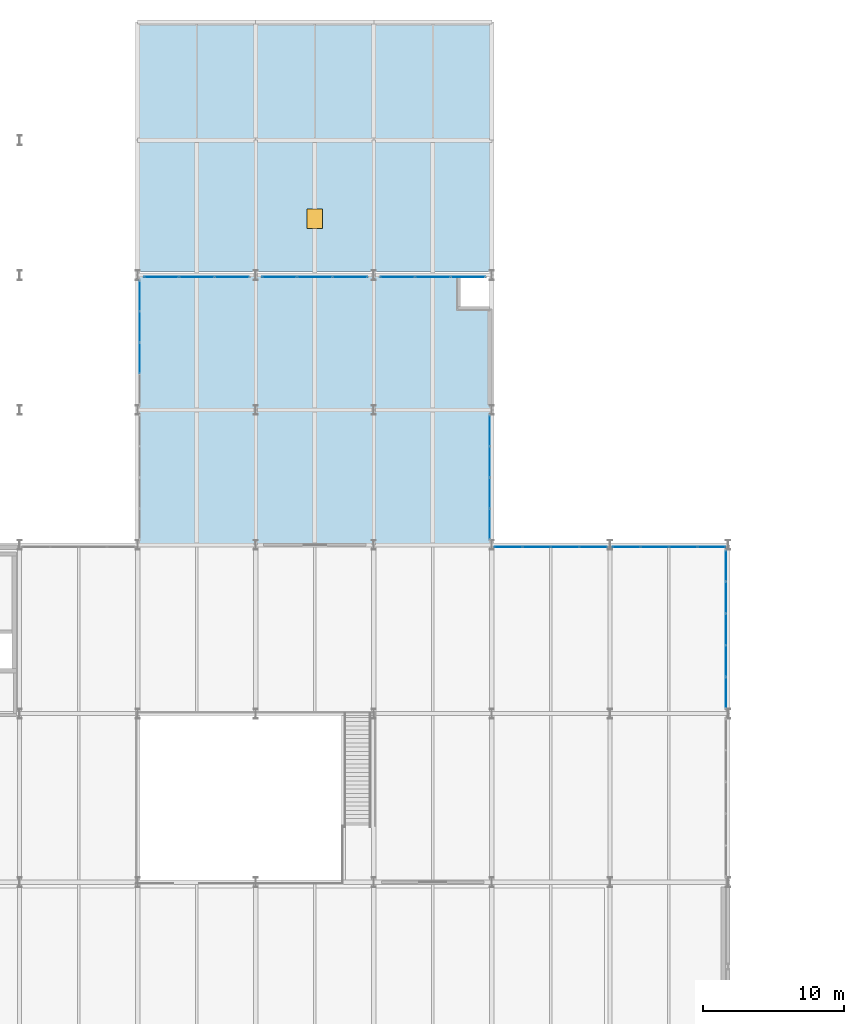
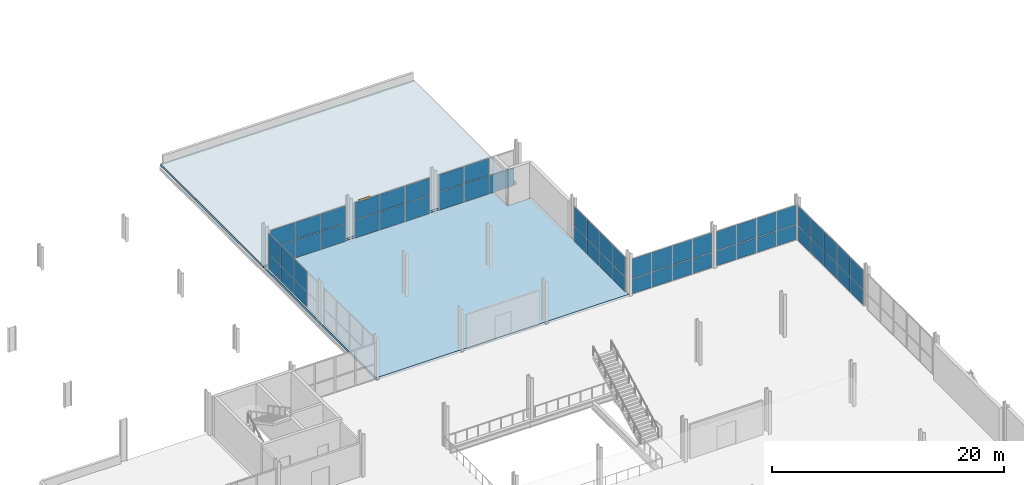
# One storey, part 90 of 113: 57 plates, 2 slabs, 1 door, 1 opening, 8 elements without a shape of their own.
"""IFC4 building model written with IfcOpenShell, lengths in metres."""

from ifc_helpers import new_model, si_unit, direction, frame, origin, origin_2d, place, context, subcontext, project, spatial, polyline, rectangle, outline, extrude, material, layer, layer_set, type_object, element, fill, aggregate, save


model = new_model("IFC4")

# Units and contexts
model_context = context("Model", 3, precision=1e-05, world=origin(), true_north=direction((0.0, 1.0)))
body_context = subcontext(model_context, "Body", "Model", "MODEL_VIEW")
ifc_project = project(units=[si_unit("LENGTHUNIT", "METRE"), si_unit("AREAUNIT", "SQUARE_METRE"), si_unit("VOLUMEUNIT", "CUBIC_METRE"), si_unit("PLANEANGLEUNIT", "RADIAN"), si_unit("MASSUNIT", "GRAM", prefix="KILO")], contexts=[model_context])

# Site, building, storey
site_placement = place(None, origin())
site = spatial("IfcSite", under=ifc_project, at=site_placement, CompositionType="ELEMENT")
building_placement = place(site_placement, origin())
building = spatial("IfcBuilding", under=site, at=building_placement, Name="Veltarok Museum of Natural Sciences", CompositionType="ELEMENT")
storey_placement = place(building_placement, frame((0.0, 0.0, 8.39990234375)))
storey = spatial("IfcBuildingStorey", under=building, at=storey_placement, Name="L01", CompositionType="ELEMENT", Elevation=8.39990234375)

# Slab, opening, door
ifc_material_1 = material(Name="Concrete C35/45", Category="concrete")
ifc_layer_1 = layer(ifc_material_1, 0.239990234375)
ifc_layer_set_1 = layer_set([ifc_layer_1], Name="Concrete C35/45")
slab_type_1 = type_object("IfcSlabType", Name="Insulated Flat Wing Roof Slab 240", PredefinedType="ROOF", material=ifc_layer_set_1)
slab_1_placement = place(storey_placement, frame((0.0, 0.0, -0.239990234375)))
slab_1 = element("IfcSlab", 1, at=slab_1_placement, inside=storey, type_object=slab_type_1, Name="Flat Wing Roof Slab RF-V2N0", PredefinedType="ROOF", context=body_context, shape_type="SweptSolid", body=[
    extrude(outline(polyline([(56.800048828125, 91.449951171875), (56.800048828125, 109.199951171875), (82.0, 109.199951171875), (82.0, 91.449951171875), (56.800048828125, 91.449951171875)])), origin(), (0.0, 0.0, 1.0), 0.239990234375),
])
opening_placement = place(slab_1_placement, frame((69.39990234375, 95.199951171875, -0.010009765625)))
opening = element("IfcOpeningElement", 2, at=opening_placement, cuts=slab_1, Name="Opening HT-01", PredefinedType="OPENING", context=body_context, shape_type="SweptSolid", body=[
    extrude(rectangle(XDim=1.10009765625, YDim=1.39990234375, at=origin_2d()), origin(), (0.0, 0.0, 1.0), 0.320068359375),
])
ifc_material_2 = material(Name="Insulated aluminium curb hatch", Category="aluminium")
door_type = type_object("IfcDoorType", Name="Insulated Roof Maintenance Access Hatch 1100x1400", OperationType="SINGLE_SWING_LEFT", PredefinedType="TRAPDOOR", material=ifc_material_2)
door_placement = place(slab_1_placement, frame((69.39990234375, 95.199951171875, 0.239990234375)))
door = element("IfcDoor", 3, at=door_placement, inside=storey, type_object=door_type, Name="Roof Maintenance Access Hatch HT-01", OperationType="SINGLE_SWING_LEFT", OverallHeight=1.39990234375, OverallWidth=1.10009765625, PredefinedType="TRAPDOOR", context=body_context, shape_type="SweptSolid", body=[
    extrude(rectangle(XDim=1.10009765625, YDim=1.39990234375, at=origin_2d()), origin(), (0.0, 0.0, 1.0), 0.06005859375),
])
fill(opening, door)

# Slab
ifc_layer_2 = layer(ifc_material_1, 0.25)
ifc_layer_set_2 = layer_set([ifc_layer_2], Name="Concrete C35/45")
slab_type_2 = type_object("IfcSlabType", Name="Suspended Museum Floor Slab 250", PredefinedType="FLOOR", material=ifc_layer_set_2)
slab_2_placement = place(storey_placement, frame((0.0, 0.0, -0.25)))
element("IfcSlab", 4, at=slab_2_placement, inside=storey, type_object=slab_type_2, Name="Floor Slab L01 V2N", PredefinedType="FLOOR", context=body_context, shape_type="SweptSolid", body=[
    extrude(outline(polyline([(56.800048828125, 72.0), (56.800048828125, 91.199951171875), (79.60009765625, 91.199951171875), (79.60009765625, 88.800048828125), (82.0, 88.800048828125), (82.0, 72.0), (56.800048828125, 72.0)])), origin(), (0.0, 0.0, 1.0), 0.25),
])

# Curtain wall, plates
ifc_material_3 = material(Name="Low-iron triple insulated glass", Category="glass")
curtain_wall_type_1 = type_object("IfcCurtainWallType", Name="Curtain Wall System CW-V2NP-L01-7-756x385 (North Pavilion L01 7-8 756x385cm)", PredefinedType="NOTDEFINED", material=ifc_material_3)
curtain_wall_1_placement = place(storey_placement, origin())
curtain_wall_1 = element("IfcCurtainWall", 5, at=curtain_wall_1_placement, inside=storey, type_object=curtain_wall_type_1, Name="Curtain Wall CW-V2NP-L01-7-756x385 CW-0069", PredefinedType="NOTDEFINED")
ifc_layer_3 = layer(ifc_material_3, 0.028076171875)
ifc_layer_set_3 = layer_set([ifc_layer_3], Name="Low-iron triple insulated glass")
plate_type = type_object("IfcPlateType", Name="Triple Low-Iron Glazed Vision Panel 28", PredefinedType="CURTAIN_PANEL", material=ifc_layer_set_3)
plate_1_placement = place(storey_placement, frame((63.5048828125, 91.050048828125, 0.06005859375), z_axis=(0.0, 0.0, 1.0), x_axis=(-1.0, 0.0, 0.0)))
plate_1 = element("IfcPlate", 6, at=plate_1_placement, type_object=plate_type, Name="CW-V2NP-L01-7-756x385 panel 1.1", PredefinedType="CURTAIN_PANEL", context=body_context, shape_type="SweptSolid", body=[
    extrude(rectangle(XDim=2.429931640625, YDim=0.028076171875, at=origin_2d()), origin(), (0.0, 0.0, 1.0), 1.909912109375),
])
plate_2_placement = place(storey_placement, frame((63.5048828125, 91.050048828125, 2.0302734375), z_axis=(0.0, 0.0, 1.0), x_axis=(-1.0, 0.0, 0.0)))
plate_2 = element("IfcPlate", 7, at=plate_2_placement, type_object=plate_type, Name="CW-V2NP-L01-7-756x385 panel 1.2", PredefinedType="CURTAIN_PANEL", context=body_context, shape_type="SweptSolid", body=[
    extrude(rectangle(XDim=2.429931640625, YDim=0.028076171875, at=origin_2d()), origin(), (0.0, 0.0, 1.0), 1.760009765625),
])
plate_3_placement = place(storey_placement, frame((61.0, 91.050048828125, 0.06005859375), z_axis=(0.0, 0.0, 1.0), x_axis=(-1.0, 0.0, 0.0)))
plate_3 = element("IfcPlate", 8, at=plate_3_placement, type_object=plate_type, Name="CW-V2NP-L01-7-756x385 panel 2.1", PredefinedType="CURTAIN_PANEL", context=body_context, shape_type="SweptSolid", body=[
    extrude(rectangle(XDim=2.4599609375, YDim=0.028076171875, at=origin_2d()), origin(), (0.0, 0.0, 1.0), 1.909912109375),
])
plate_4_placement = place(storey_placement, frame((61.0, 91.050048828125, 2.0302734375), z_axis=(0.0, 0.0, 1.0), x_axis=(-1.0, 0.0, 0.0)))
plate_4 = element("IfcPlate", 9, at=plate_4_placement, type_object=plate_type, Name="CW-V2NP-L01-7-756x385 panel 2.2", PredefinedType="CURTAIN_PANEL", context=body_context, shape_type="SweptSolid", body=[
    extrude(rectangle(XDim=2.4599609375, YDim=0.028076171875, at=origin_2d()), origin(), (0.0, 0.0, 1.0), 1.760009765625),
])
plate_5_placement = place(storey_placement, frame((58.4951171875, 91.050048828125, 0.06005859375), z_axis=(0.0, 0.0, 1.0), x_axis=(-1.0, 0.0, 0.0)))
plate_5 = element("IfcPlate", 10, at=plate_5_placement, type_object=plate_type, Name="CW-V2NP-L01-7-756x385 panel 3.1", PredefinedType="CURTAIN_PANEL", context=body_context, shape_type="SweptSolid", body=[
    extrude(rectangle(XDim=2.429931640625, YDim=0.028076171875, at=origin_2d()), origin(), (0.0, 0.0, 1.0), 1.909912109375),
])
plate_6_placement = place(storey_placement, frame((58.4951171875, 91.050048828125, 2.0302734375), z_axis=(0.0, 0.0, 1.0), x_axis=(-1.0, 0.0, 0.0)))
plate_6 = element("IfcPlate", 11, at=plate_6_placement, type_object=plate_type, Name="CW-V2NP-L01-7-756x385 panel 3.2", PredefinedType="CURTAIN_PANEL", context=body_context, shape_type="SweptSolid", body=[
    extrude(rectangle(XDim=2.429931640625, YDim=0.028076171875, at=origin_2d()), origin(), (0.0, 0.0, 1.0), 1.760009765625),
])
aggregate(curtain_wall_1, [plate_1, plate_2, plate_3, plate_4, plate_5, plate_6])

curtain_wall_type_2 = type_object("IfcCurtainWallType", Name="Curtain Wall System CW-V2NP-L01-8-756x385 (North Pavilion L01 8-9 756x385cm)", PredefinedType="NOTDEFINED", material=ifc_material_3)
curtain_wall_2_placement = place(storey_placement, origin())
curtain_wall_2 = element("IfcCurtainWall", 12, at=curtain_wall_2_placement, inside=storey, type_object=curtain_wall_type_2, Name="Curtain Wall CW-V2NP-L01-8-756x385 CW-0070", PredefinedType="NOTDEFINED")
plate_7_placement = place(storey_placement, frame((71.905029296875, 91.050048828125, 0.06005859375), z_axis=(0.0, 0.0, 1.0), x_axis=(-1.0, 0.0, 0.0)))
plate_7 = element("IfcPlate", 13, at=plate_7_placement, type_object=plate_type, Name="CW-V2NP-L01-8-756x385 panel 1.1", PredefinedType="CURTAIN_PANEL", context=body_context, shape_type="SweptSolid", body=[
    extrude(rectangle(XDim=2.429931640625, YDim=0.028076171875, at=origin_2d()), origin(), (0.0, 0.0, 1.0), 1.909912109375),
])
plate_8_placement = place(storey_placement, frame((71.905029296875, 91.050048828125, 2.0302734375), z_axis=(0.0, 0.0, 1.0), x_axis=(-1.0, 0.0, 0.0)))
plate_8 = element("IfcPlate", 14, at=plate_8_placement, type_object=plate_type, Name="CW-V2NP-L01-8-756x385 panel 1.2", PredefinedType="CURTAIN_PANEL", context=body_context, shape_type="SweptSolid", body=[
    extrude(rectangle(XDim=2.429931640625, YDim=0.028076171875, at=origin_2d()), origin(), (0.0, 0.0, 1.0), 1.760009765625),
])
plate_9_placement = place(storey_placement, frame((69.39990234375, 91.050048828125, 0.06005859375), z_axis=(0.0, 0.0, 1.0), x_axis=(-1.0, 0.0, 0.0)))
plate_9 = element("IfcPlate", 15, at=plate_9_placement, type_object=plate_type, Name="CW-V2NP-L01-8-756x385 panel 2.1", PredefinedType="CURTAIN_PANEL", context=body_context, shape_type="SweptSolid", body=[
    extrude(rectangle(XDim=2.4599609375, YDim=0.028076171875, at=origin_2d()), origin(), (0.0, 0.0, 1.0), 1.909912109375),
])
plate_10_placement = place(storey_placement, frame((69.39990234375, 91.050048828125, 2.0302734375), z_axis=(0.0, 0.0, 1.0), x_axis=(-1.0, 0.0, 0.0)))
plate_10 = element("IfcPlate", 16, at=plate_10_placement, type_object=plate_type, Name="CW-V2NP-L01-8-756x385 panel 2.2", PredefinedType="CURTAIN_PANEL", context=body_context, shape_type="SweptSolid", body=[
    extrude(rectangle(XDim=2.4599609375, YDim=0.028076171875, at=origin_2d()), origin(), (0.0, 0.0, 1.0), 1.760009765625),
])
plate_11_placement = place(storey_placement, frame((66.89501953125, 91.050048828125, 0.06005859375), z_axis=(0.0, 0.0, 1.0), x_axis=(-1.0, 0.0, 0.0)))
plate_11 = element("IfcPlate", 17, at=plate_11_placement, type_object=plate_type, Name="CW-V2NP-L01-8-756x385 panel 3.1", PredefinedType="CURTAIN_PANEL", context=body_context, shape_type="SweptSolid", body=[
    extrude(rectangle(XDim=2.429931640625, YDim=0.028076171875, at=origin_2d()), origin(), (0.0, 0.0, 1.0), 1.909912109375),
])
plate_12_placement = place(storey_placement, frame((66.89501953125, 91.050048828125, 2.0302734375), z_axis=(0.0, 0.0, 1.0), x_axis=(-1.0, 0.0, 0.0)))
plate_12 = element("IfcPlate", 18, at=plate_12_placement, type_object=plate_type, Name="CW-V2NP-L01-8-756x385 panel 3.2", PredefinedType="CURTAIN_PANEL", context=body_context, shape_type="SweptSolid", body=[
    extrude(rectangle(XDim=2.429931640625, YDim=0.028076171875, at=origin_2d()), origin(), (0.0, 0.0, 1.0), 1.760009765625),
])
aggregate(curtain_wall_2, [plate_7, plate_8, plate_9, plate_10, plate_11, plate_12])

curtain_wall_type_3 = type_object("IfcCurtainWallType", Name="Curtain Wall System CW-V2NP-L01-9-756x385 (North Pavilion L01 9-10 756x385cm)", PredefinedType="NOTDEFINED", material=ifc_material_3)
curtain_wall_3_placement = place(storey_placement, origin())
curtain_wall_3 = element("IfcCurtainWall", 19, at=curtain_wall_3_placement, inside=storey, type_object=curtain_wall_type_3, Name="Curtain Wall CW-V2NP-L01-9-756x385 CW-0071", PredefinedType="NOTDEFINED")
plate_13_placement = place(storey_placement, frame((80.304931640625, 91.050048828125, 0.06005859375), z_axis=(0.0, 0.0, 1.0), x_axis=(-1.0, 0.0, 0.0)))
plate_13 = element("IfcPlate", 20, at=plate_13_placement, type_object=plate_type, Name="CW-V2NP-L01-9-756x385 panel 1.1", PredefinedType="CURTAIN_PANEL", context=body_context, shape_type="SweptSolid", body=[
    extrude(rectangle(XDim=2.429931640625, YDim=0.028076171875, at=origin_2d()), origin(), (0.0, 0.0, 1.0), 1.909912109375),
])
plate_14_placement = place(storey_placement, frame((77.800048828125, 91.050048828125, 0.06005859375), z_axis=(0.0, 0.0, 1.0), x_axis=(-1.0, 0.0, 0.0)))
plate_14 = element("IfcPlate", 21, at=plate_14_placement, type_object=plate_type, Name="CW-V2NP-L01-9-756x385 panel 2.1", PredefinedType="CURTAIN_PANEL", context=body_context, shape_type="SweptSolid", body=[
    extrude(rectangle(XDim=2.4599609375, YDim=0.028076171875, at=origin_2d()), origin(), (0.0, 0.0, 1.0), 1.909912109375),
])
plate_15_placement = place(storey_placement, frame((77.800048828125, 91.050048828125, 2.0302734375), z_axis=(0.0, 0.0, 1.0), x_axis=(-1.0, 0.0, 0.0)))
plate_15 = element("IfcPlate", 22, at=plate_15_placement, type_object=plate_type, Name="CW-V2NP-L01-9-756x385 panel 2.2", PredefinedType="CURTAIN_PANEL", context=body_context, shape_type="SweptSolid", body=[
    extrude(rectangle(XDim=2.4599609375, YDim=0.028076171875, at=origin_2d()), origin(), (0.0, 0.0, 1.0), 1.760009765625),
])
plate_16_placement = place(storey_placement, frame((75.294921875, 91.050048828125, 0.06005859375), z_axis=(0.0, 0.0, 1.0), x_axis=(-1.0, 0.0, 0.0)))
plate_16 = element("IfcPlate", 23, at=plate_16_placement, type_object=plate_type, Name="CW-V2NP-L01-9-756x385 panel 3.1", PredefinedType="CURTAIN_PANEL", context=body_context, shape_type="SweptSolid", body=[
    extrude(rectangle(XDim=2.429931640625, YDim=0.028076171875, at=origin_2d()), origin(), (0.0, 0.0, 1.0), 1.909912109375),
])
plate_17_placement = place(storey_placement, frame((75.294921875, 91.050048828125, 2.0302734375), z_axis=(0.0, 0.0, 1.0), x_axis=(-1.0, 0.0, 0.0)))
plate_17 = element("IfcPlate", 24, at=plate_17_placement, type_object=plate_type, Name="CW-V2NP-L01-9-756x385 panel 3.2", PredefinedType="CURTAIN_PANEL", context=body_context, shape_type="SweptSolid", body=[
    extrude(rectangle(XDim=2.429931640625, YDim=0.028076171875, at=origin_2d()), origin(), (0.0, 0.0, 1.0), 1.760009765625),
])
aggregate(curtain_wall_3, [plate_13, plate_14, plate_15, plate_16, plate_17])

curtain_wall_type_4 = type_object("IfcCurtainWallType", Name="Curtain Wall System CW-V2E-L01-2-1130x378 (CW-V2E L01 1130x378cm)", PredefinedType="NOTDEFINED", material=ifc_material_3)
curtain_wall_4_placement = place(storey_placement, origin())
curtain_wall_4 = element("IfcCurtainWall", 25, at=curtain_wall_4_placement, inside=storey, type_object=curtain_wall_type_4, Name="Curtain Wall CW-V2E-L01-2-1130x378 CW-0130", PredefinedType="NOTDEFINED")
plate_18_placement = place(storey_placement, frame((98.64990234375, 61.4951171875, 0.05810546875), z_axis=(0.0, 0.0, 1.0), x_axis=(0.0, 1.0, 0.0)))
plate_18 = element("IfcPlate", 26, at=plate_18_placement, type_object=plate_type, Name="CW-V2E-L01-2-1130x378 panel 1.1", PredefinedType="CURTAIN_PANEL", context=body_context, shape_type="SweptSolid", body=[
    extrude(rectangle(XDim=2.169921875, YDim=0.028076171875, at=origin_2d()), origin(), (0.0, 0.0, 1.0), 1.56005859375),
])
plate_19_placement = place(storey_placement, frame((98.64990234375, 61.4951171875, 1.67822265625), z_axis=(0.0, 0.0, 1.0), x_axis=(0.0, 1.0, 0.0)))
plate_19 = element("IfcPlate", 27, at=plate_19_placement, type_object=plate_type, Name="CW-V2E-L01-2-1130x378 panel 1.2", PredefinedType="CURTAIN_PANEL", context=body_context, shape_type="SweptSolid", body=[
    extrude(rectangle(XDim=2.169921875, YDim=0.028076171875, at=origin_2d()), origin(), (0.0, 0.0, 1.0), 2.0419921875),
])
plate_20_placement = place(storey_placement, frame((98.64990234375, 63.739990234375, 0.05810546875), z_axis=(0.0, 0.0, 1.0), x_axis=(0.0, 1.0, 0.0)))
plate_20 = element("IfcPlate", 28, at=plate_20_placement, type_object=plate_type, Name="CW-V2E-L01-2-1130x378 panel 2.1", PredefinedType="CURTAIN_PANEL", context=body_context, shape_type="SweptSolid", body=[
    extrude(rectangle(XDim=2.199951171875, YDim=0.028076171875, at=origin_2d()), origin(), (0.0, 0.0, 1.0), 1.56005859375),
])
plate_21_placement = place(storey_placement, frame((98.64990234375, 63.739990234375, 1.67822265625), z_axis=(0.0, 0.0, 1.0), x_axis=(0.0, 1.0, 0.0)))
plate_21 = element("IfcPlate", 29, at=plate_21_placement, type_object=plate_type, Name="CW-V2E-L01-2-1130x378 panel 2.2", PredefinedType="CURTAIN_PANEL", context=body_context, shape_type="SweptSolid", body=[
    extrude(rectangle(XDim=2.199951171875, YDim=0.028076171875, at=origin_2d()), origin(), (0.0, 0.0, 1.0), 2.0419921875),
])
plate_22_placement = place(storey_placement, frame((98.64990234375, 66.0, 0.05810546875), z_axis=(0.0, 0.0, 1.0), x_axis=(0.0, 1.0, 0.0)))
plate_22 = element("IfcPlate", 30, at=plate_22_placement, type_object=plate_type, Name="CW-V2E-L01-2-1130x378 panel 3.1", PredefinedType="CURTAIN_PANEL", context=body_context, shape_type="SweptSolid", body=[
    extrude(rectangle(XDim=2.199951171875, YDim=0.028076171875, at=origin_2d()), origin(), (0.0, 0.0, 1.0), 1.56005859375),
])
plate_23_placement = place(storey_placement, frame((98.64990234375, 66.0, 1.67822265625), z_axis=(0.0, 0.0, 1.0), x_axis=(0.0, 1.0, 0.0)))
plate_23 = element("IfcPlate", 31, at=plate_23_placement, type_object=plate_type, Name="CW-V2E-L01-2-1130x378 panel 3.2", PredefinedType="CURTAIN_PANEL", context=body_context, shape_type="SweptSolid", body=[
    extrude(rectangle(XDim=2.199951171875, YDim=0.028076171875, at=origin_2d()), origin(), (0.0, 0.0, 1.0), 2.0419921875),
])
plate_24_placement = place(storey_placement, frame((98.64990234375, 68.260009765625, 0.05810546875), z_axis=(0.0, 0.0, 1.0), x_axis=(0.0, 1.0, 0.0)))
plate_24 = element("IfcPlate", 32, at=plate_24_placement, type_object=plate_type, Name="CW-V2E-L01-2-1130x378 panel 4.1", PredefinedType="CURTAIN_PANEL", context=body_context, shape_type="SweptSolid", body=[
    extrude(rectangle(XDim=2.199951171875, YDim=0.028076171875, at=origin_2d()), origin(), (0.0, 0.0, 1.0), 1.56005859375),
])
plate_25_placement = place(storey_placement, frame((98.64990234375, 68.260009765625, 1.67822265625), z_axis=(0.0, 0.0, 1.0), x_axis=(0.0, 1.0, 0.0)))
plate_25 = element("IfcPlate", 33, at=plate_25_placement, type_object=plate_type, Name="CW-V2E-L01-2-1130x378 panel 4.2", PredefinedType="CURTAIN_PANEL", context=body_context, shape_type="SweptSolid", body=[
    extrude(rectangle(XDim=2.199951171875, YDim=0.028076171875, at=origin_2d()), origin(), (0.0, 0.0, 1.0), 2.0419921875),
])
plate_26_placement = place(storey_placement, frame((98.64990234375, 70.5048828125, 0.05810546875), z_axis=(0.0, 0.0, 1.0), x_axis=(0.0, 1.0, 0.0)))
plate_26 = element("IfcPlate", 34, at=plate_26_placement, type_object=plate_type, Name="CW-V2E-L01-2-1130x378 panel 5.1", PredefinedType="CURTAIN_PANEL", context=body_context, shape_type="SweptSolid", body=[
    extrude(rectangle(XDim=2.169921875, YDim=0.028076171875, at=origin_2d()), origin(), (0.0, 0.0, 1.0), 1.56005859375),
])
plate_27_placement = place(storey_placement, frame((98.64990234375, 70.5048828125, 1.67822265625), z_axis=(0.0, 0.0, 1.0), x_axis=(0.0, 1.0, 0.0)))
plate_27 = element("IfcPlate", 35, at=plate_27_placement, type_object=plate_type, Name="CW-V2E-L01-2-1130x378 panel 5.2", PredefinedType="CURTAIN_PANEL", context=body_context, shape_type="SweptSolid", body=[
    extrude(rectangle(XDim=2.169921875, YDim=0.028076171875, at=origin_2d()), origin(), (0.0, 0.0, 1.0), 2.0419921875),
])
aggregate(curtain_wall_4, [plate_18, plate_19, plate_20, plate_21, plate_22, plate_23, plate_24, plate_25, plate_26, plate_27])

curtain_wall_type_5 = type_object("IfcCurtainWallType", Name="Curtain Wall System CW-V2NH-L01-2-810x378 (CW-V2NH L01 810x378cm)", PredefinedType="NOTDEFINED", material=ifc_material_3)
curtain_wall_5_placement = place(storey_placement, origin())
curtain_wall_5 = element("IfcCurtainWall", 36, at=curtain_wall_5_placement, inside=storey, type_object=curtain_wall_type_5, Name="Curtain Wall CW-V2NH-L01-2-810x378 CW-0154", PredefinedType="NOTDEFINED")
plate_28_placement = place(storey_placement, frame((89.222412109375, 71.85009765625, 0.05810546875), z_axis=(0.0, 0.0, 1.0), x_axis=(-1.0, 0.0, 0.0)))
plate_28 = element("IfcPlate", 37, at=plate_28_placement, type_object=plate_type, Name="CW-V2NH-L01-2-810x378 panel 1.1", PredefinedType="CURTAIN_PANEL", context=body_context, shape_type="SweptSolid", body=[
    extrude(rectangle(XDim=1.93505859375, YDim=0.028076171875, at=origin_2d()), origin(), (0.0, 0.0, 1.0), 1.56005859375),
])
plate_29_placement = place(storey_placement, frame((89.222412109375, 71.85009765625, 1.67822265625), z_axis=(0.0, 0.0, 1.0), x_axis=(-1.0, 0.0, 0.0)))
plate_29 = element("IfcPlate", 38, at=plate_29_placement, type_object=plate_type, Name="CW-V2NH-L01-2-810x378 panel 1.2", PredefinedType="CURTAIN_PANEL", context=body_context, shape_type="SweptSolid", body=[
    extrude(rectangle(XDim=1.93505859375, YDim=0.028076171875, at=origin_2d()), origin(), (0.0, 0.0, 1.0), 2.0419921875),
])
plate_30_placement = place(storey_placement, frame((87.21240234375, 71.85009765625, 0.05810546875), z_axis=(0.0, 0.0, 1.0), x_axis=(-1.0, 0.0, 0.0)))
plate_30 = element("IfcPlate", 39, at=plate_30_placement, type_object=plate_type, Name="CW-V2NH-L01-2-810x378 panel 2.1", PredefinedType="CURTAIN_PANEL", context=body_context, shape_type="SweptSolid", body=[
    extrude(rectangle(XDim=1.965087890625, YDim=0.028076171875, at=origin_2d()), origin(), (0.0, 0.0, 1.0), 1.56005859375),
])
plate_31_placement = place(storey_placement, frame((87.21240234375, 71.85009765625, 1.67822265625), z_axis=(0.0, 0.0, 1.0), x_axis=(-1.0, 0.0, 0.0)))
plate_31 = element("IfcPlate", 40, at=plate_31_placement, type_object=plate_type, Name="CW-V2NH-L01-2-810x378 panel 2.2", PredefinedType="CURTAIN_PANEL", context=body_context, shape_type="SweptSolid", body=[
    extrude(rectangle(XDim=1.965087890625, YDim=0.028076171875, at=origin_2d()), origin(), (0.0, 0.0, 1.0), 2.0419921875),
])
plate_32_placement = place(storey_placement, frame((85.1875, 71.85009765625, 0.05810546875), z_axis=(0.0, 0.0, 1.0), x_axis=(-1.0, 0.0, 0.0)))
plate_32 = element("IfcPlate", 41, at=plate_32_placement, type_object=plate_type, Name="CW-V2NH-L01-2-810x378 panel 3.1", PredefinedType="CURTAIN_PANEL", context=body_context, shape_type="SweptSolid", body=[
    extrude(rectangle(XDim=1.965087890625, YDim=0.028076171875, at=origin_2d()), origin(), (0.0, 0.0, 1.0), 1.56005859375),
])
plate_33_placement = place(storey_placement, frame((85.1875, 71.85009765625, 1.67822265625), z_axis=(0.0, 0.0, 1.0), x_axis=(-1.0, 0.0, 0.0)))
plate_33 = element("IfcPlate", 42, at=plate_33_placement, type_object=plate_type, Name="CW-V2NH-L01-2-810x378 panel 3.2", PredefinedType="CURTAIN_PANEL", context=body_context, shape_type="SweptSolid", body=[
    extrude(rectangle(XDim=1.965087890625, YDim=0.028076171875, at=origin_2d()), origin(), (0.0, 0.0, 1.0), 2.0419921875),
])
plate_34_placement = place(storey_placement, frame((83.177490234375, 71.85009765625, 0.05810546875), z_axis=(0.0, 0.0, 1.0), x_axis=(-1.0, 0.0, 0.0)))
plate_34 = element("IfcPlate", 43, at=plate_34_placement, type_object=plate_type, Name="CW-V2NH-L01-2-810x378 panel 4.1", PredefinedType="CURTAIN_PANEL", context=body_context, shape_type="SweptSolid", body=[
    extrude(rectangle(XDim=1.93505859375, YDim=0.028076171875, at=origin_2d()), origin(), (0.0, 0.0, 1.0), 1.56005859375),
])
plate_35_placement = place(storey_placement, frame((83.177490234375, 71.85009765625, 1.67822265625), z_axis=(0.0, 0.0, 1.0), x_axis=(-1.0, 0.0, 0.0)))
plate_35 = element("IfcPlate", 44, at=plate_35_placement, type_object=plate_type, Name="CW-V2NH-L01-2-810x378 panel 4.2", PredefinedType="CURTAIN_PANEL", context=body_context, shape_type="SweptSolid", body=[
    extrude(rectangle(XDim=1.93505859375, YDim=0.028076171875, at=origin_2d()), origin(), (0.0, 0.0, 1.0), 2.0419921875),
])
aggregate(curtain_wall_5, [plate_28, plate_29, plate_30, plate_31, plate_32, plate_33, plate_34, plate_35])

curtain_wall_type_6 = type_object("IfcCurtainWallType", Name="Curtain Wall System CW-V2NH-L01-3-810x373 (CW-V2NH L01 810x373cm)", PredefinedType="NOTDEFINED", material=ifc_material_3)
curtain_wall_6_placement = place(storey_placement, origin())
curtain_wall_6 = element("IfcCurtainWall", 45, at=curtain_wall_6_placement, inside=storey, type_object=curtain_wall_type_6, Name="Curtain Wall CW-V2NH-L01-3-810x373 CW-0155", PredefinedType="NOTDEFINED")
plate_36_placement = place(storey_placement, frame((97.62255859375, 71.85009765625, 0.05810546875), z_axis=(0.0, 0.0, 1.0), x_axis=(-1.0, 0.0, 0.0)))
plate_36 = element("IfcPlate", 46, at=plate_36_placement, type_object=plate_type, Name="CW-V2NH-L01-3-810x373 panel 1.1", PredefinedType="CURTAIN_PANEL", context=body_context, shape_type="SweptSolid", body=[
    extrude(rectangle(XDim=1.93505859375, YDim=0.028076171875, at=origin_2d()), origin(), (0.0, 0.0, 1.0), 1.56005859375),
])
plate_37_placement = place(storey_placement, frame((97.62255859375, 71.85009765625, 1.67822265625), z_axis=(0.0, 0.0, 1.0), x_axis=(-1.0, 0.0, 0.0)))
plate_37 = element("IfcPlate", 47, at=plate_37_placement, type_object=plate_type, Name="CW-V2NH-L01-3-810x373 panel 1.2", PredefinedType="CURTAIN_PANEL", context=body_context, shape_type="SweptSolid", body=[
    extrude(rectangle(XDim=1.93505859375, YDim=0.028076171875, at=origin_2d()), origin(), (0.0, 0.0, 1.0), 1.991943359375),
])
plate_38_placement = place(storey_placement, frame((95.612548828125, 71.85009765625, 0.05810546875), z_axis=(0.0, 0.0, 1.0), x_axis=(-1.0, 0.0, 0.0)))
plate_38 = element("IfcPlate", 48, at=plate_38_placement, type_object=plate_type, Name="CW-V2NH-L01-3-810x373 panel 2.1", PredefinedType="CURTAIN_PANEL", context=body_context, shape_type="SweptSolid", body=[
    extrude(rectangle(XDim=1.965087890625, YDim=0.028076171875, at=origin_2d()), origin(), (0.0, 0.0, 1.0), 1.56005859375),
])
plate_39_placement = place(storey_placement, frame((95.612548828125, 71.85009765625, 1.67822265625), z_axis=(0.0, 0.0, 1.0), x_axis=(-1.0, 0.0, 0.0)))
plate_39 = element("IfcPlate", 49, at=plate_39_placement, type_object=plate_type, Name="CW-V2NH-L01-3-810x373 panel 2.2", PredefinedType="CURTAIN_PANEL", context=body_context, shape_type="SweptSolid", body=[
    extrude(rectangle(XDim=1.965087890625, YDim=0.028076171875, at=origin_2d()), origin(), (0.0, 0.0, 1.0), 1.991943359375),
])
plate_40_placement = place(storey_placement, frame((93.58740234375, 71.85009765625, 0.05810546875), z_axis=(0.0, 0.0, 1.0), x_axis=(-1.0, 0.0, 0.0)))
plate_40 = element("IfcPlate", 50, at=plate_40_placement, type_object=plate_type, Name="CW-V2NH-L01-3-810x373 panel 3.1", PredefinedType="CURTAIN_PANEL", context=body_context, shape_type="SweptSolid", body=[
    extrude(rectangle(XDim=1.965087890625, YDim=0.028076171875, at=origin_2d()), origin(), (0.0, 0.0, 1.0), 1.56005859375),
])
plate_41_placement = place(storey_placement, frame((93.58740234375, 71.85009765625, 1.67822265625), z_axis=(0.0, 0.0, 1.0), x_axis=(-1.0, 0.0, 0.0)))
plate_41 = element("IfcPlate", 51, at=plate_41_placement, type_object=plate_type, Name="CW-V2NH-L01-3-810x373 panel 3.2", PredefinedType="CURTAIN_PANEL", context=body_context, shape_type="SweptSolid", body=[
    extrude(rectangle(XDim=1.965087890625, YDim=0.028076171875, at=origin_2d()), origin(), (0.0, 0.0, 1.0), 1.991943359375),
])
plate_42_placement = place(storey_placement, frame((91.577392578125, 71.85009765625, 0.05810546875), z_axis=(0.0, 0.0, 1.0), x_axis=(-1.0, 0.0, 0.0)))
plate_42 = element("IfcPlate", 52, at=plate_42_placement, type_object=plate_type, Name="CW-V2NH-L01-3-810x373 panel 4.1", PredefinedType="CURTAIN_PANEL", context=body_context, shape_type="SweptSolid", body=[
    extrude(rectangle(XDim=1.93505859375, YDim=0.028076171875, at=origin_2d()), origin(), (0.0, 0.0, 1.0), 1.56005859375),
])
plate_43_placement = place(storey_placement, frame((91.577392578125, 71.85009765625, 1.67822265625), z_axis=(0.0, 0.0, 1.0), x_axis=(-1.0, 0.0, 0.0)))
plate_43 = element("IfcPlate", 53, at=plate_43_placement, type_object=plate_type, Name="CW-V2NH-L01-3-810x373 panel 4.2", PredefinedType="CURTAIN_PANEL", context=body_context, shape_type="SweptSolid", body=[
    extrude(rectangle(XDim=1.93505859375, YDim=0.028076171875, at=origin_2d()), origin(), (0.0, 0.0, 1.0), 1.991943359375),
])
aggregate(curtain_wall_6, [plate_36, plate_37, plate_38, plate_39, plate_40, plate_41, plate_42, plate_43])

curtain_wall_type_7 = type_object("IfcCurtainWallType", Name="Curtain Wall System CW-V2NPW1-L01-1-890x383 (CW-V2NPW1 L01 890x383cm)", PredefinedType="NOTDEFINED", material=ifc_material_3)
curtain_wall_7_placement = place(storey_placement, origin())
curtain_wall_7 = element("IfcCurtainWall", 54, at=curtain_wall_7_placement, inside=storey, type_object=curtain_wall_type_7, Name="Curtain Wall CW-V2NPW1-L01-1-890x383 CW-0221", PredefinedType="NOTDEFINED")
plate_44_placement = place(storey_placement, frame((56.949951171875, 85.28759765625, 0.05810546875), z_axis=(0.0, 0.0, 1.0), x_axis=(0.0, 1.0, 0.0)))
plate_44 = element("IfcPlate", 55, at=plate_44_placement, type_object=plate_type, Name="CW-V2NPW1-L01-1-890x383 panel 2.1", PredefinedType="CURTAIN_PANEL", context=body_context, shape_type="SweptSolid", body=[
    extrude(rectangle(XDim=2.1650390625, YDim=0.028076171875, at=origin_2d()), origin(), (0.0, 0.0, 1.0), 1.56005859375),
])
plate_45_placement = place(storey_placement, frame((56.949951171875, 85.28759765625, 1.67822265625), z_axis=(0.0, 0.0, 1.0), x_axis=(0.0, 1.0, 0.0)))
plate_45 = element("IfcPlate", 56, at=plate_45_placement, type_object=plate_type, Name="CW-V2NPW1-L01-1-890x383 panel 2.2", PredefinedType="CURTAIN_PANEL", context=body_context, shape_type="SweptSolid", body=[
    extrude(rectangle(XDim=2.1650390625, YDim=0.028076171875, at=origin_2d()), origin(), (0.0, 0.0, 1.0), 2.092041015625),
])
plate_46_placement = place(storey_placement, frame((56.949951171875, 87.512451171875, 0.05810546875), z_axis=(0.0, 0.0, 1.0), x_axis=(0.0, 1.0, 0.0)))
plate_46 = element("IfcPlate", 57, at=plate_46_placement, type_object=plate_type, Name="CW-V2NPW1-L01-1-890x383 panel 3.1", PredefinedType="CURTAIN_PANEL", context=body_context, shape_type="SweptSolid", body=[
    extrude(rectangle(XDim=2.1650390625, YDim=0.028076171875, at=origin_2d()), origin(), (0.0, 0.0, 1.0), 1.56005859375),
])
plate_47_placement = place(storey_placement, frame((56.949951171875, 87.512451171875, 1.67822265625), z_axis=(0.0, 0.0, 1.0), x_axis=(0.0, 1.0, 0.0)))
plate_47 = element("IfcPlate", 58, at=plate_47_placement, type_object=plate_type, Name="CW-V2NPW1-L01-1-890x383 panel 3.2", PredefinedType="CURTAIN_PANEL", context=body_context, shape_type="SweptSolid", body=[
    extrude(rectangle(XDim=2.1650390625, YDim=0.028076171875, at=origin_2d()), origin(), (0.0, 0.0, 1.0), 2.092041015625),
])
plate_48_placement = place(storey_placement, frame((56.949951171875, 89.722412109375, 0.05810546875), z_axis=(0.0, 0.0, 1.0), x_axis=(0.0, 1.0, 0.0)))
plate_48 = element("IfcPlate", 59, at=plate_48_placement, type_object=plate_type, Name="CW-V2NPW1-L01-1-890x383 panel 4.1", PredefinedType="CURTAIN_PANEL", context=body_context, shape_type="SweptSolid", body=[
    extrude(rectangle(XDim=2.135009765625, YDim=0.028076171875, at=origin_2d()), origin(), (0.0, 0.0, 1.0), 1.56005859375),
])
plate_49_placement = place(storey_placement, frame((56.949951171875, 89.722412109375, 1.67822265625), z_axis=(0.0, 0.0, 1.0), x_axis=(0.0, 1.0, 0.0)))
plate_49 = element("IfcPlate", 60, at=plate_49_placement, type_object=plate_type, Name="CW-V2NPW1-L01-1-890x383 panel 4.2", PredefinedType="CURTAIN_PANEL", context=body_context, shape_type="SweptSolid", body=[
    extrude(rectangle(XDim=2.135009765625, YDim=0.028076171875, at=origin_2d()), origin(), (0.0, 0.0, 1.0), 2.092041015625),
])
aggregate(curtain_wall_7, [plate_44, plate_45, plate_46, plate_47, plate_48, plate_49])

curtain_wall_type_8 = type_object("IfcCurtainWallType", Name="Curtain Wall System CW-V2NPE1-L01-2-890x378 (CW-V2NPE1 L01 890x378cm)", PredefinedType="NOTDEFINED", material=ifc_material_3)
curtain_wall_8_placement = place(storey_placement, origin())
curtain_wall_8 = element("IfcCurtainWall", 61, at=curtain_wall_8_placement, inside=storey, type_object=curtain_wall_type_8, Name="Curtain Wall CW-V2NPE1-L01-2-890x378 CW-0222", PredefinedType="NOTDEFINED")
plate_50_placement = place(storey_placement, frame((81.85009765625, 73.4775390625, 0.05810546875), z_axis=(0.0, 0.0, 1.0), x_axis=(0.0, 1.0, 0.0)))
plate_50 = element("IfcPlate", 62, at=plate_50_placement, type_object=plate_type, Name="CW-V2NPE1-L01-2-890x378 panel 1.1", PredefinedType="CURTAIN_PANEL", context=body_context, shape_type="SweptSolid", body=[
    extrude(rectangle(XDim=2.135009765625, YDim=0.028076171875, at=origin_2d()), origin(), (0.0, 0.0, 1.0), 1.56005859375),
])
plate_51_placement = place(storey_placement, frame((81.85009765625, 73.4775390625, 1.67822265625), z_axis=(0.0, 0.0, 1.0), x_axis=(0.0, 1.0, 0.0)))
plate_51 = element("IfcPlate", 63, at=plate_51_placement, type_object=plate_type, Name="CW-V2NPE1-L01-2-890x378 panel 1.2", PredefinedType="CURTAIN_PANEL", context=body_context, shape_type="SweptSolid", body=[
    extrude(rectangle(XDim=2.135009765625, YDim=0.028076171875, at=origin_2d()), origin(), (0.0, 0.0, 1.0), 2.0419921875),
])
plate_52_placement = place(storey_placement, frame((81.85009765625, 75.6875, 0.05810546875), z_axis=(0.0, 0.0, 1.0), x_axis=(0.0, 1.0, 0.0)))
plate_52 = element("IfcPlate", 64, at=plate_52_placement, type_object=plate_type, Name="CW-V2NPE1-L01-2-890x378 panel 2.1", PredefinedType="CURTAIN_PANEL", context=body_context, shape_type="SweptSolid", body=[
    extrude(rectangle(XDim=2.1650390625, YDim=0.028076171875, at=origin_2d()), origin(), (0.0, 0.0, 1.0), 1.56005859375),
])
plate_53_placement = place(storey_placement, frame((81.85009765625, 75.6875, 1.67822265625), z_axis=(0.0, 0.0, 1.0), x_axis=(0.0, 1.0, 0.0)))
plate_53 = element("IfcPlate", 65, at=plate_53_placement, type_object=plate_type, Name="CW-V2NPE1-L01-2-890x378 panel 2.2", PredefinedType="CURTAIN_PANEL", context=body_context, shape_type="SweptSolid", body=[
    extrude(rectangle(XDim=2.1650390625, YDim=0.028076171875, at=origin_2d()), origin(), (0.0, 0.0, 1.0), 2.0419921875),
])
plate_54_placement = place(storey_placement, frame((81.85009765625, 77.91259765625, 0.05810546875), z_axis=(0.0, 0.0, 1.0), x_axis=(0.0, 1.0, 0.0)))
plate_54 = element("IfcPlate", 66, at=plate_54_placement, type_object=plate_type, Name="CW-V2NPE1-L01-2-890x378 panel 3.1", PredefinedType="CURTAIN_PANEL", context=body_context, shape_type="SweptSolid", body=[
    extrude(rectangle(XDim=2.1650390625, YDim=0.028076171875, at=origin_2d()), origin(), (0.0, 0.0, 1.0), 1.56005859375),
])
plate_55_placement = place(storey_placement, frame((81.85009765625, 77.91259765625, 1.67822265625), z_axis=(0.0, 0.0, 1.0), x_axis=(0.0, 1.0, 0.0)))
plate_55 = element("IfcPlate", 67, at=plate_55_placement, type_object=plate_type, Name="CW-V2NPE1-L01-2-890x378 panel 3.2", PredefinedType="CURTAIN_PANEL", context=body_context, shape_type="SweptSolid", body=[
    extrude(rectangle(XDim=2.1650390625, YDim=0.028076171875, at=origin_2d()), origin(), (0.0, 0.0, 1.0), 2.0419921875),
])
plate_56_placement = place(storey_placement, frame((81.85009765625, 80.12255859375, 0.05810546875), z_axis=(0.0, 0.0, 1.0), x_axis=(0.0, 1.0, 0.0)))
plate_56 = element("IfcPlate", 68, at=plate_56_placement, type_object=plate_type, Name="CW-V2NPE1-L01-2-890x378 panel 4.1", PredefinedType="CURTAIN_PANEL", context=body_context, shape_type="SweptSolid", body=[
    extrude(rectangle(XDim=2.135009765625, YDim=0.028076171875, at=origin_2d()), origin(), (0.0, 0.0, 1.0), 1.56005859375),
])
plate_57_placement = place(storey_placement, frame((81.85009765625, 80.12255859375, 1.67822265625), z_axis=(0.0, 0.0, 1.0), x_axis=(0.0, 1.0, 0.0)))
plate_57 = element("IfcPlate", 69, at=plate_57_placement, type_object=plate_type, Name="CW-V2NPE1-L01-2-890x378 panel 4.2", PredefinedType="CURTAIN_PANEL", context=body_context, shape_type="SweptSolid", body=[
    extrude(rectangle(XDim=2.135009765625, YDim=0.028076171875, at=origin_2d()), origin(), (0.0, 0.0, 1.0), 2.0419921875),
])
aggregate(curtain_wall_8, [plate_50, plate_51, plate_52, plate_53, plate_54, plate_55, plate_56, plate_57])

save(model, "model.ifc")
